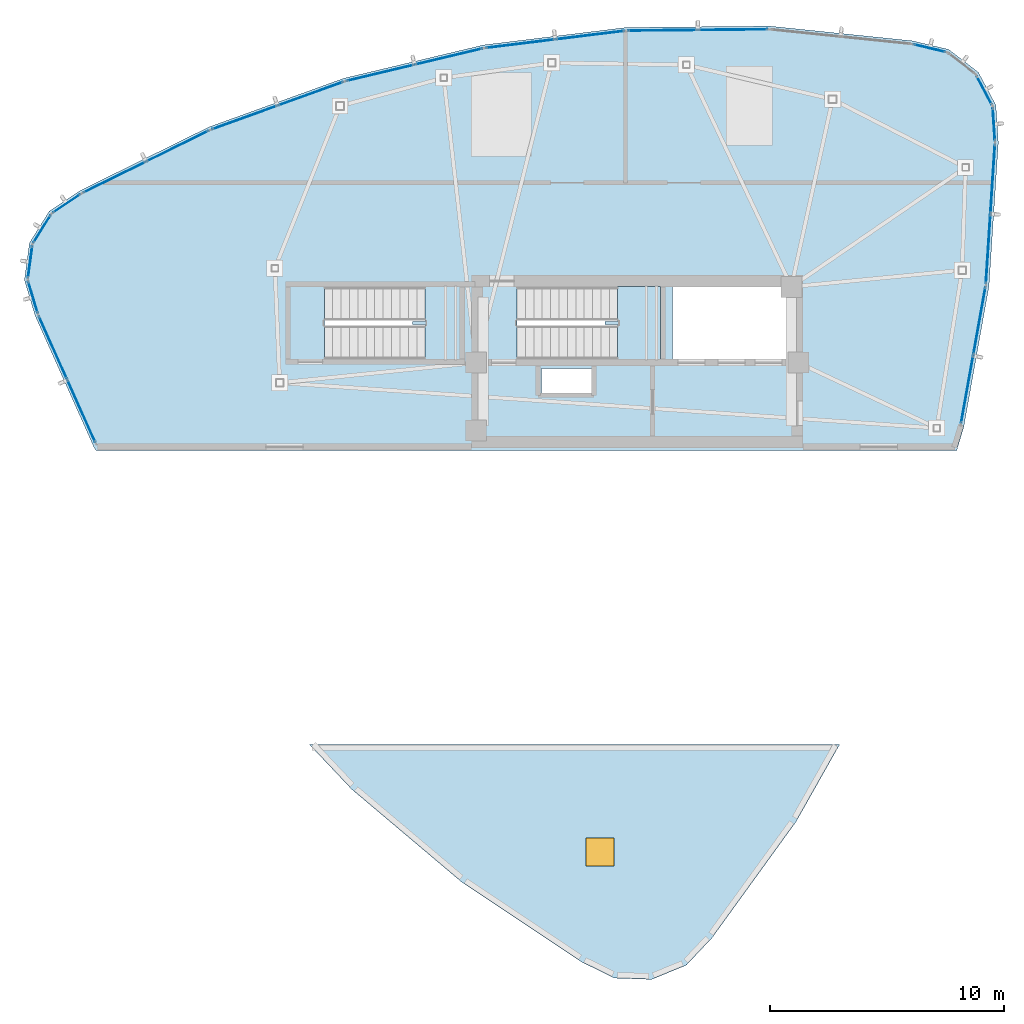
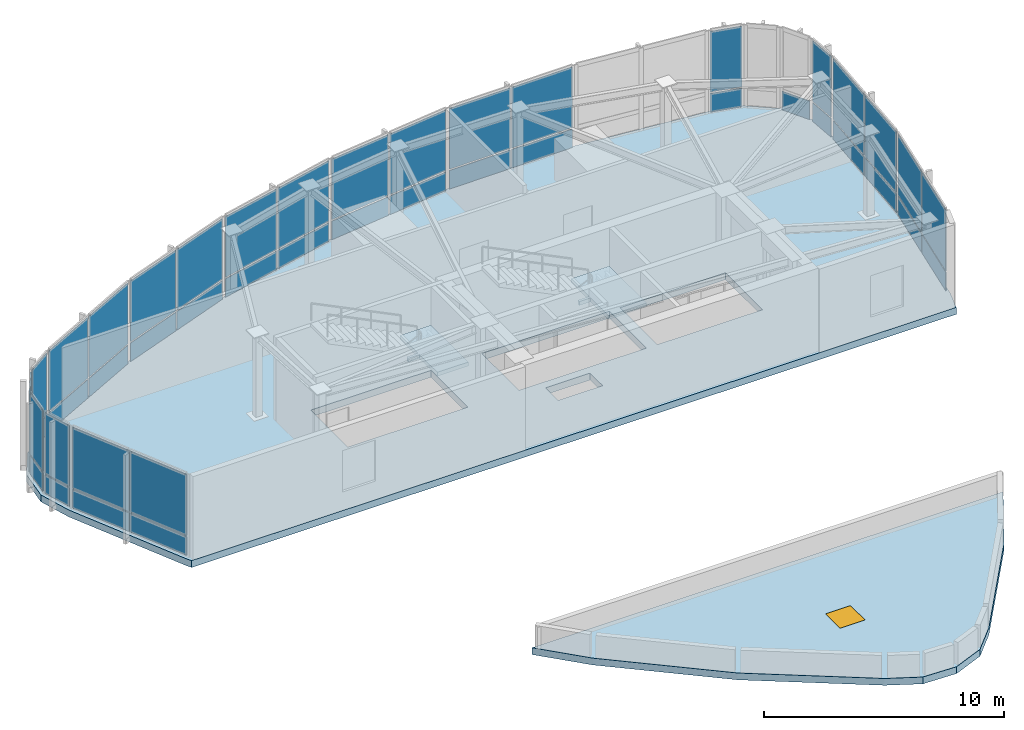
# One storey, part 6 of 11: 45 plates, 4 slabs, 1 window, 1 opening, 17 elements without a shape of their own.
"""IFC4 building model written with IfcOpenShell, lengths in metres."""

from ifc_helpers import new_model, si_unit, direction, frame, origin, origin_2d, place, context, subcontext, project, spatial, polyline, rectangle, outline, extrude, source, transform, mapped, material, layer, layer_set, type_object, type_shapes, element, fill, aggregate, save


model = new_model("IFC4")

# Units and contexts
model_context = context("Model", 3, precision=1e-05, world=origin(), true_north=direction((0.0, 1.0)))
body_context = subcontext(model_context, "Body", "Model", "MODEL_VIEW")
ifc_project = project(units=[si_unit("LENGTHUNIT", "METRE"), si_unit("AREAUNIT", "SQUARE_METRE"), si_unit("VOLUMEUNIT", "CUBIC_METRE"), si_unit("PLANEANGLEUNIT", "RADIAN"), si_unit("MASSUNIT", "GRAM", prefix="KILO")], contexts=[model_context])

# Site, building, storey
site_placement = place(None, origin())
site = spatial("IfcSite", under=ifc_project, at=site_placement, CompositionType="ELEMENT")
building_placement = place(site_placement, origin())
building = spatial("IfcBuilding", under=site, at=building_placement, Name="Tavelor Broadcast Tower", CompositionType="ELEMENT")
storey_placement = place(building_placement, frame((0.0, 0.0, 345.89990234375)))
storey = spatial("IfcBuildingStorey", under=building, at=storey_placement, Name="L82", CompositionType="ELEMENT", Elevation=345.89990234375)

# Slab, opening, window
ifc_material_1 = material(Name="Concrete C40/50", Category="concrete")
ifc_layer_1 = layer(ifc_material_1, 0.35009765625)
ifc_layer_set_1 = layer_set([ifc_layer_1], Name="Concrete C40/50")
slab_type_1 = type_object("IfcSlabType", Name="Crown Structural Roof Slab 350 mm", PredefinedType="ROOF", material=ifc_layer_set_1)
slab_1_placement = place(storey_placement, frame((0.0, 0.0, -0.349853515625)))
slab_1 = element("IfcSlab", 1, at=slab_1_placement, inside=storey, type_object=slab_type_1, Name="Roof Peak B Structural Roof Slab", PredefinedType="ROOF", context=body_context, shape_type="SweptSolid", body=[
    extrude(outline(polyline([(58.668701171875, 31.60009765625), (35.958251953125, 31.60009765625), (37.7763671875, 29.678466796875), (42.473876953125, 25.71533203125), (47.5859375, 22.3037109375), (49.021484375, 21.595703125), (50.620849609375, 21.541259765625), (52.10107421875, 22.14990234375), (53.19970703125, 23.313720703125), (56.802001953125, 28.29345703125), (58.668701171875, 31.60009765625)])), origin(), (0.0, 0.0, 1.0), 0.349853515625),
])
opening_placement = place(slab_1_placement, frame((48.40771484375, 27.00439453125, 0.0)))
opening = element("IfcOpeningElement", 2, at=opening_placement, cuts=slab_1, Name="Opening HT01", PredefinedType="OPENING", context=body_context, shape_type="SweptSolid", body=[
    extrude(rectangle(XDim=1.199951171875, YDim=1.199951171875, at=origin_2d()), frame((0.0, 0.0, -0.010009765625)), (0.0, 0.0, 1.0), 0.369873046875),
])
ifc_material_2 = material(Name="Copper-Bronze Anodized Aluminium", Category="aluminium")
window_type = type_object("IfcWindowType", Name="Insulated Roof Smoke and Maintenance Access Hatch 1200x1200", PartitioningType="SINGLE_PANEL", PredefinedType="LIGHTDOME", material=ifc_material_2)
window_placement = place(opening_placement, frame((0.0, 0.0, 0.2998046875)))
window = element("IfcWindow", 3, at=window_placement, inside=storey, type_object=window_type, Name="L82 Peak B Maintenance Roof Access Hatch", OverallHeight=1.199951171875, OverallWidth=1.199951171875, PartitioningType="SINGLE_PANEL", PredefinedType="LIGHTDOME", context=body_context, shape_type="SweptSolid", body=[
    extrude(rectangle(XDim=1.199951171875, YDim=1.199951171875, at=origin_2d()), origin(), (0.0, 0.0, 1.0), 0.050048828125),
])
fill(opening, window)

# Slab
ifc_layer_2 = layer(ifc_material_1, 0.35009765625)
ifc_layer_set_2 = layer_set([ifc_layer_2], Name="Concrete C40/50")
slab_type_2 = type_object("IfcSlabType", Name="Podium Structural Floor Slab 350 mm", PredefinedType="FLOOR", material=ifc_layer_set_2)
slab_2_placement = place(storey_placement, frame((0.0, 0.0, -0.349853515625)))
element("IfcSlab", 4, at=slab_2_placement, inside=storey, type_object=slab_type_2, Name="L82 Crown Peak A Floor Slab", PredefinedType="FLOOR", context=body_context, shape_type="SweptSolid", body=[
    extrude(outline(polyline([(26.81640625, 44.199951171875), (63.68505859375, 44.199951171875), (63.980712890625, 45.1923828125), (65.06396484375, 51.2421875), (65.462646484375, 57.375244140625), (65.35791015625, 58.972412109375), (64.60546875, 60.384765625), (63.338134765625, 61.3623046875), (61.781005859375, 61.73193359375), (55.66748046875, 62.361572265625), (49.521728515625, 62.302490234375), (43.42138671875, 61.55517578125), (37.443115234375, 60.129150390625), (31.662109375, 58.04248046875), (26.1513671875, 55.3212890625), (24.820556640625, 54.431884765625), (23.9736328125, 53.073974609375), (23.760498046875, 51.48779296875), (24.21923828125, 49.954345703125), (26.730712890625, 44.344970703125), (26.81640625, 44.199951171875)]), holes=[polyline([(48.050048828125, 47.699951171875), (48.050048828125, 46.64990234375), (45.89990234375, 46.64990234375), (45.89990234375, 47.699951171875), (48.050048828125, 47.699951171875)]), polyline([(42.39599609375, 51.196044921875), (42.39599609375, 48.10400390625), (36.60400390625, 48.10400390625), (36.60400390625, 51.196044921875), (42.39599609375, 51.196044921875)]), polyline([(50.99609375, 51.196044921875), (50.99609375, 48.10400390625), (44.85400390625, 48.10400390625), (44.85400390625, 51.196044921875), (50.99609375, 51.196044921875)]), polyline([(56.60009765625, 51.199951171875), (56.60009765625, 48.10009765625), (51.52001953125, 48.10009765625), (51.52001953125, 51.199951171875), (56.60009765625, 51.199951171875)])]), origin(), (0.0, 0.0, 1.0), 0.349853515625),
])

# Stair, slab
stair_type = type_object("IfcStairType", Name="Reinforced Concrete Protected Dogleg Stair 1450 mm", PredefinedType="HALF_TURN_STAIR", material=ifc_material_1)
stair_1_placement = place(storey_placement, origin())
stair_1 = element("IfcStair", 5, at=stair_1_placement, inside=storey, type_object=stair_type, Name="L82 Protected Core Exit Stair ST1", PredefinedType="HALF_TURN_STAIR")
ifc_layer_3 = layer(ifc_material_1, 0.199951171875)
ifc_layer_set_3 = layer_set([ifc_layer_3], Name="Concrete C40/50")
slab_type_3 = type_object("IfcSlabType", Name="Reinforced Concrete Stair Half-Landing Slab 200 mm", PredefinedType="LANDING", material=ifc_layer_set_3)
slab_3_placement = place(storey_placement, frame((0.0, 0.0, 2.10009765625)))
slab_3 = element("IfcSlab", 6, at=slab_3_placement, type_object=slab_type_3, Name="ST1 landing 1", PredefinedType="LANDING", context=body_context, shape_type="SweptSolid", body=[
    extrude(outline(polyline([(49.1650390625, 49.590087890625), (49.1650390625, 48.094970703125), (51.0048828125, 48.094970703125), (51.0048828125, 51.205078125), (49.1650390625, 51.205078125), (49.1650390625, 49.7099609375), (48.625, 49.7099609375), (48.625, 49.590087890625), (49.1650390625, 49.590087890625)])), origin(), (0.0, 0.0, 1.0), 0.199951171875),
])
aggregate(stair_1, [slab_3])

stair_2_placement = place(storey_placement, origin())
stair_2 = element("IfcStair", 7, at=stair_2_placement, inside=storey, type_object=stair_type, Name="L82 Crown Peak A Plant Stair ST5", PredefinedType="HALF_TURN_STAIR")
slab_4_placement = place(storey_placement, frame((0.0, 0.0, 2.10009765625)))
slab_4 = element("IfcSlab", 8, at=slab_4_placement, type_object=slab_type_3, Name="ST5 landing 1", PredefinedType="LANDING", context=body_context, shape_type="SweptSolid", body=[
    extrude(outline(polyline([(40.9150390625, 49.590087890625), (40.9150390625, 48.094970703125), (42.405029296875, 48.094970703125), (42.405029296875, 51.205078125), (40.9150390625, 51.205078125), (40.9150390625, 49.7099609375), (40.375, 49.7099609375), (40.375, 49.590087890625), (40.9150390625, 49.590087890625)])), origin(), (0.0, 0.0, 1.0), 0.199951171875),
])
aggregate(stair_2, [slab_4])

# Curtain wall, plates
ifc_material_3 = material(Name="Architectural Anodized Aluminium", Category="aluminium")
ifc_layer_4 = layer(ifc_material_3, 0.2099609375)
ifc_layer_set_4 = layer_set([ifc_layer_4], Name="Architectural Anodized Aluminium")
curtain_wall_type = type_object("IfcCurtainWallType", Name="Split-Crown Beacon Curtain Wall CW06", PredefinedType="NOTDEFINED", material=ifc_layer_set_4)
curtain_wall_1_placement = place(storey_placement, origin())
curtain_wall_1 = element("IfcCurtainWall", 9, at=curtain_wall_1_placement, inside=storey, type_object=curtain_wall_type, Name="L82 Curtain Wall CW06 Run 955", PredefinedType="NOTDEFINED")
ifc_material_4 = material(Name="Dichroic Solar Laminated Glazing 34 mm", Category="glass")
ifc_layer_5 = layer(ifc_material_4, 0.033935546875)
ifc_layer_set_5 = layer_set([ifc_layer_5], Name="Dichroic Solar Laminated Glazing 34 mm")
plate_type = type_object("IfcPlateType", Name="CW06 Insulated Vision Glazing Panel 34 mm", PredefinedType="CURTAIN_PANEL", material=ifc_layer_set_5)
shared_shape_1 = source(origin(), body_context, "Body", "SweptSolid", [
    extrude(rectangle(XDim=2.90966796875, YDim=0.033935546875, at=origin_2d()), origin(), (0.0, 0.0, 1.0), 0.94189453125),
])
plate_1_placement = place(storey_placement, frame((64.12744140625, 46.806640625, 0.072265625), z_axis=(0.0, 0.0, 1.0), x_axis=(0.176266032777, 0.984342565212, 0.0)))
plate_1 = element("IfcPlate", 10, at=plate_1_placement, type_object=plate_type, Name="CW06 panel 1.1", PredefinedType="CURTAIN_PANEL", context=body_context, shape_type="MappedRepresentation", body=[
    mapped(shared_shape_1, transform((0.0, 0.0, 0.0), scale=1.0)),
])
plate_2_placement = place(storey_placement, frame((64.653076171875, 49.741455078125, 0.072265625), z_axis=(0.0, 0.0, 1.0), x_axis=(0.176266032777, 0.984342565212, 0.0)))
plate_2 = element("IfcPlate", 11, at=plate_2_placement, type_object=plate_type, Name="CW06 panel 2.1", PredefinedType="CURTAIN_PANEL", context=body_context, shape_type="MappedRepresentation", body=[
    mapped(shared_shape_1, transform((0.0, 0.0, 0.0), scale=1.0)),
])
shared_shape_2 = source(origin(), body_context, "Body", "SweptSolid", [
    extrude(rectangle(XDim=2.90966796875, YDim=0.033935546875, at=origin_2d()), origin(), (0.0, 0.0, 1.0), 3.092041015625),
])
plate_3_placement = place(storey_placement, frame((64.12744140625, 46.806640625, 1.0859375), z_axis=(0.0, 0.0, 1.0), x_axis=(0.176266032777, 0.984342565212, 0.0)))
plate_3 = element("IfcPlate", 12, at=plate_3_placement, type_object=plate_type, Name="CW06 panel 1.2", PredefinedType="CURTAIN_PANEL", context=body_context, shape_type="MappedRepresentation", body=[
    mapped(shared_shape_2, transform((0.0, 0.0, 0.0), scale=1.0)),
])
plate_4_placement = place(storey_placement, frame((64.653076171875, 49.741455078125, 1.0859375), z_axis=(0.0, 0.0, 1.0), x_axis=(0.176266032777, 0.984342565212, 0.0)))
plate_4 = element("IfcPlate", 13, at=plate_4_placement, type_object=plate_type, Name="CW06 panel 2.2", PredefinedType="CURTAIN_PANEL", context=body_context, shape_type="MappedRepresentation", body=[
    mapped(shared_shape_2, transform((0.0, 0.0, 0.0), scale=1.0)),
])
aggregate(curtain_wall_1, [plate_1, plate_3, plate_2, plate_4])

curtain_wall_2_placement = place(storey_placement, origin())
curtain_wall_2 = element("IfcCurtainWall", 14, at=curtain_wall_2_placement, inside=storey, type_object=curtain_wall_type, Name="L82 Curtain Wall CW06 Run 956", PredefinedType="NOTDEFINED")
shared_shape_3 = source(origin(), body_context, "Body", "SweptSolid", [
    extrude(rectangle(XDim=2.94140625, YDim=0.033935546875, at=origin_2d()), origin(), (0.0, 0.0, 1.0), 0.94189453125),
])
plate_5_placement = place(storey_placement, frame((65.02587890625, 52.813720703125, 0.072265625), z_axis=(0.0, 0.0, 1.0), x_axis=(0.064862631275, 0.99789420234, 0.0)))
plate_5 = element("IfcPlate", 15, at=plate_5_placement, type_object=plate_type, Name="CW06 panel 1.1", PredefinedType="CURTAIN_PANEL", context=body_context, shape_type="MappedRepresentation", body=[
    mapped(shared_shape_3, transform((0.0, 0.0, 0.0), scale=1.0)),
])
plate_6_placement = place(storey_placement, frame((65.221435546875, 55.82080078125, 0.072265625), z_axis=(0.0, 0.0, 1.0), x_axis=(0.064862631275, 0.99789420234, 0.0)))
plate_6 = element("IfcPlate", 16, at=plate_6_placement, type_object=plate_type, Name="CW06 panel 2.1", PredefinedType="CURTAIN_PANEL", context=body_context, shape_type="MappedRepresentation", body=[
    mapped(shared_shape_3, transform((0.0, 0.0, 0.0), scale=1.0)),
])

curtain_wall_3_placement = place(storey_placement, origin())
curtain_wall_3 = element("IfcCurtainWall", 17, at=curtain_wall_3_placement, inside=storey, type_object=curtain_wall_type, Name="L82 Curtain Wall CW06 Run 966", PredefinedType="NOTDEFINED")
plate_7_placement = place(storey_placement, frame((30.3203125, 57.2236328125, 0.072265625), z_axis=(0.0, 0.0, 1.0), x_axis=(-0.896649177873, -0.442741743932, 0.0)))
plate_7 = element("IfcPlate", 18, at=plate_7_placement, type_object=plate_type, Name="CW06 panel 1.1", PredefinedType="CURTAIN_PANEL", context=body_context, shape_type="MappedRepresentation", body=[
    mapped(shared_shape_3, transform((0.0, 0.0, 0.0), scale=1.0)),
])
plate_8_placement = place(storey_placement, frame((27.6181640625, 55.889404296875, 0.072265625), z_axis=(0.0, 0.0, 1.0), x_axis=(-0.896649177873, -0.442741743932, 0.0)))
plate_8 = element("IfcPlate", 19, at=plate_8_placement, type_object=plate_type, Name="CW06 panel 2.1", PredefinedType="CURTAIN_PANEL", context=body_context, shape_type="MappedRepresentation", body=[
    mapped(shared_shape_3, transform((0.0, 0.0, 0.0), scale=1.0)),
])

# Plate
shared_shape_4 = source(origin(), body_context, "Body", "SweptSolid", [
    extrude(rectangle(XDim=2.94140625, YDim=0.033935546875, at=origin_2d()), origin(), (0.0, 0.0, 1.0), 3.092041015625),
])
plate_9_placement = place(storey_placement, frame((65.02587890625, 52.813720703125, 1.0859375), z_axis=(0.0, 0.0, 1.0), x_axis=(0.064862631275, 0.99789420234, 0.0)))
plate_9 = element("IfcPlate", 20, at=plate_9_placement, type_object=plate_type, Name="CW06 panel 1.2", PredefinedType="CURTAIN_PANEL", context=body_context, shape_type="MappedRepresentation", body=[
    mapped(shared_shape_4, transform((0.0, 0.0, 0.0), scale=1.0)),
])

plate_10_placement = place(storey_placement, frame((65.221435546875, 55.82080078125, 1.0859375), z_axis=(0.0, 0.0, 1.0), x_axis=(0.064862631275, 0.99789420234, 0.0)))
plate_10 = element("IfcPlate", 21, at=plate_10_placement, type_object=plate_type, Name="CW06 panel 2.2", PredefinedType="CURTAIN_PANEL", context=body_context, shape_type="MappedRepresentation", body=[
    mapped(shared_shape_4, transform((0.0, 0.0, 0.0), scale=1.0)),
])

aggregate(curtain_wall_2, [plate_5, plate_9, plate_6, plate_10])

plate_11_placement = place(storey_placement, frame((30.3203125, 57.2236328125, 1.0859375), z_axis=(0.0, 0.0, 1.0), x_axis=(-0.896649177873, -0.442741743932, 0.0)))
plate_11 = element("IfcPlate", 22, at=plate_11_placement, type_object=plate_type, Name="CW06 panel 1.2", PredefinedType="CURTAIN_PANEL", context=body_context, shape_type="MappedRepresentation", body=[
    mapped(shared_shape_4, transform((0.0, 0.0, 0.0), scale=1.0)),
])

plate_12_placement = place(storey_placement, frame((27.6181640625, 55.889404296875, 1.0859375), z_axis=(0.0, 0.0, 1.0), x_axis=(-0.896649177873, -0.442741743932, 0.0)))
plate_12 = element("IfcPlate", 23, at=plate_12_placement, type_object=plate_type, Name="CW06 panel 2.2", PredefinedType="CURTAIN_PANEL", context=body_context, shape_type="MappedRepresentation", body=[
    mapped(shared_shape_4, transform((0.0, 0.0, 0.0), scale=1.0)),
])

aggregate(curtain_wall_3, [plate_7, plate_11, plate_8, plate_12])

# Curtain wall, plate
curtain_wall_4_placement = place(storey_placement, origin())
curtain_wall_4 = element("IfcCurtainWall", 24, at=curtain_wall_4_placement, inside=storey, type_object=curtain_wall_type, Name="L82 Curtain Wall CW06 Run 957", PredefinedType="NOTDEFINED")
shared_shape_5 = source(origin(), body_context, "Body", "SweptSolid", [
    extrude(rectangle(XDim=1.38720703125, YDim=0.033935546875, at=origin_2d()), origin(), (0.0, 0.0, 1.0), 0.94189453125),
])
plate_13_placement = place(storey_placement, frame((65.271240234375, 58.154052734375, 0.072265625), z_axis=(0.0, 0.0, 1.0), x_axis=(-0.065374609131, 0.997860792135, 0.0)))
plate_13 = element("IfcPlate", 25, at=plate_13_placement, type_object=plate_type, Name="CW06 panel 1.1", PredefinedType="CURTAIN_PANEL", context=body_context, shape_type="MappedRepresentation", body=[
    mapped(shared_shape_5, transform((0.0, 0.0, 0.0), scale=1.0)),
])

curtain_wall_5_placement = place(storey_placement, origin())
curtain_wall_5 = element("IfcCurtainWall", 26, at=curtain_wall_5_placement, inside=storey, type_object=curtain_wall_type, Name="L82 Curtain Wall CW06 Run 960", PredefinedType="NOTDEFINED")
plate_14_placement = place(storey_placement, frame((62.51708984375, 61.413330078125, 0.072265625), z_axis=(0.0, 0.0, 1.0), x_axis=(-0.972984616019, 0.230869956882, 0.0)))
plate_14 = element("IfcPlate", 27, at=plate_14_placement, type_object=plate_type, Name="CW06 panel 1.1", PredefinedType="CURTAIN_PANEL", context=body_context, shape_type="MappedRepresentation", body=[
    mapped(shared_shape_5, transform((0.0, 0.0, 0.0), scale=1.0)),
])

curtain_wall_6_placement = place(storey_placement, origin())
curtain_wall_6 = element("IfcCurtainWall", 28, at=curtain_wall_6_placement, inside=storey, type_object=curtain_wall_type, Name="L82 Curtain Wall CW06 Run 967", PredefinedType="NOTDEFINED")
plate_15_placement = place(storey_placement, frame((25.572509765625, 54.76611328125, 0.072265625), z_axis=(0.0, 0.0, 1.0), x_axis=(-0.831457008617, -0.555589095305, 0.0)))
plate_15 = element("IfcPlate", 29, at=plate_15_placement, type_object=plate_type, Name="CW06 panel 1.1", PredefinedType="CURTAIN_PANEL", context=body_context, shape_type="MappedRepresentation", body=[
    mapped(shared_shape_5, transform((0.0, 0.0, 0.0), scale=1.0)),
])

curtain_wall_7_placement = place(storey_placement, origin())
curtain_wall_7 = element("IfcCurtainWall", 30, at=curtain_wall_7_placement, inside=storey, type_object=curtain_wall_type, Name="L82 Curtain Wall CW06 Run 970", PredefinedType="NOTDEFINED")
plate_16_placement = place(storey_placement, frame((24.126953125, 50.751220703125, 0.072265625), z_axis=(0.0, 0.0, 1.0), x_axis=(0.286491022965, -0.958082926348, 0.0)))
plate_16 = element("IfcPlate", 31, at=plate_16_placement, type_object=plate_type, Name="CW06 panel 1.1", PredefinedType="CURTAIN_PANEL", context=body_context, shape_type="MappedRepresentation", body=[
    mapped(shared_shape_5, transform((0.0, 0.0, 0.0), scale=1.0)),
])

# Plate
shared_shape_6 = source(origin(), body_context, "Body", "SweptSolid", [
    extrude(rectangle(XDim=1.38720703125, YDim=0.033935546875, at=origin_2d()), origin(), (0.0, 0.0, 1.0), 3.092041015625),
])
plate_17_placement = place(storey_placement, frame((65.271240234375, 58.154052734375, 1.0859375), z_axis=(0.0, 0.0, 1.0), x_axis=(-0.065374609131, 0.997860792135, 0.0)))
plate_17 = element("IfcPlate", 32, at=plate_17_placement, type_object=plate_type, Name="CW06 panel 1.2", PredefinedType="CURTAIN_PANEL", context=body_context, shape_type="MappedRepresentation", body=[
    mapped(shared_shape_6, transform((0.0, 0.0, 0.0), scale=1.0)),
])

aggregate(curtain_wall_4, [plate_13, plate_17])

plate_18_placement = place(storey_placement, frame((62.51708984375, 61.413330078125, 1.0859375), z_axis=(0.0, 0.0, 1.0), x_axis=(-0.972984616019, 0.230869956882, 0.0)))
plate_18 = element("IfcPlate", 33, at=plate_18_placement, type_object=plate_type, Name="CW06 panel 1.2", PredefinedType="CURTAIN_PANEL", context=body_context, shape_type="MappedRepresentation", body=[
    mapped(shared_shape_6, transform((0.0, 0.0, 0.0), scale=1.0)),
])

aggregate(curtain_wall_5, [plate_14, plate_18])

plate_19_placement = place(storey_placement, frame((25.572509765625, 54.76611328125, 1.0859375), z_axis=(0.0, 0.0, 1.0), x_axis=(-0.831457008617, -0.555589095305, 0.0)))
plate_19 = element("IfcPlate", 34, at=plate_19_placement, type_object=plate_type, Name="CW06 panel 1.2", PredefinedType="CURTAIN_PANEL", context=body_context, shape_type="MappedRepresentation", body=[
    mapped(shared_shape_6, transform((0.0, 0.0, 0.0), scale=1.0)),
])

aggregate(curtain_wall_6, [plate_15, plate_19])

plate_20_placement = place(storey_placement, frame((24.126953125, 50.751220703125, 1.0859375), z_axis=(0.0, 0.0, 1.0), x_axis=(0.286491022965, -0.958082926348, 0.0)))
plate_20 = element("IfcPlate", 35, at=plate_20_placement, type_object=plate_type, Name="CW06 panel 1.2", PredefinedType="CURTAIN_PANEL", context=body_context, shape_type="MappedRepresentation", body=[
    mapped(shared_shape_6, transform((0.0, 0.0, 0.0), scale=1.0)),
])

aggregate(curtain_wall_7, [plate_16, plate_20])

# Curtain wall, plate
curtain_wall_8_placement = place(storey_placement, origin())
curtain_wall_8 = element("IfcCurtainWall", 36, at=curtain_wall_8_placement, inside=storey, type_object=curtain_wall_type, Name="L82 Curtain Wall CW06 Run 958", PredefinedType="NOTDEFINED")
shared_shape_7 = source(origin(), body_context, "Body", "SweptSolid", [
    extrude(rectangle(XDim=1.3662109375, YDim=0.033935546875, at=origin_2d()), origin(), (0.0, 0.0, 1.0), 0.94189453125),
])
plate_21_placement = place(storey_placement, frame((64.858154296875, 59.61279296875, 0.072265625), z_axis=(0.0, 0.0, 1.0), x_axis=(-0.470213568918, 0.882552661095, 0.0)))
plate_21 = element("IfcPlate", 37, at=plate_21_placement, type_object=plate_type, Name="CW06 panel 1.1", PredefinedType="CURTAIN_PANEL", context=body_context, shape_type="MappedRepresentation", body=[
    mapped(shared_shape_7, transform((0.0, 0.0, 0.0), scale=1.0)),
])
aggregate(curtain_wall_8, [plate_21])

curtain_wall_9_placement = place(storey_placement, origin())
curtain_wall_9 = element("IfcCurtainWall", 38, at=curtain_wall_9_placement, inside=storey, type_object=curtain_wall_type, Name="L82 Curtain Wall CW06 Run 968", PredefinedType="NOTDEFINED")
plate_22_placement = place(storey_placement, frame((24.515869140625, 53.678955078125, 0.072265625), z_axis=(0.0, 0.0, 1.0), x_axis=(-0.529153458548, -0.848526144151, 0.0)))
plate_22 = element("IfcPlate", 39, at=plate_22_placement, type_object=plate_type, Name="CW06 panel 1.1", PredefinedType="CURTAIN_PANEL", context=body_context, shape_type="MappedRepresentation", body=[
    mapped(shared_shape_7, transform((0.0, 0.0, 0.0), scale=1.0)),
])

curtain_wall_10_placement = place(storey_placement, origin())
curtain_wall_10 = element("IfcCurtainWall", 40, at=curtain_wall_10_placement, inside=storey, type_object=curtain_wall_type, Name="L82 Curtain Wall CW06 Run 969", PredefinedType="NOTDEFINED")
plate_23_placement = place(storey_placement, frame((24.005859375, 52.26220703125, 0.072265625), z_axis=(0.0, 0.0, 1.0), x_axis=(-0.133100561302, -0.991102537874, 0.0)))
plate_23 = element("IfcPlate", 41, at=plate_23_placement, type_object=plate_type, Name="CW06 panel 1.1", PredefinedType="CURTAIN_PANEL", context=body_context, shape_type="MappedRepresentation", body=[
    mapped(shared_shape_7, transform((0.0, 0.0, 0.0), scale=1.0)),
])

# Plate
shared_shape_8 = source(origin(), body_context, "Body", "SweptSolid", [
    extrude(rectangle(XDim=1.3662109375, YDim=0.033935546875, at=origin_2d()), origin(), (0.0, 0.0, 1.0), 3.092041015625),
])
plate_24_placement = place(storey_placement, frame((24.515869140625, 53.678955078125, 1.0859375), z_axis=(0.0, 0.0, 1.0), x_axis=(-0.529153458548, -0.848526144151, 0.0)))
plate_24 = element("IfcPlate", 42, at=plate_24_placement, type_object=plate_type, Name="CW06 panel 1.2", PredefinedType="CURTAIN_PANEL", context=body_context, shape_type="MappedRepresentation", body=[
    mapped(shared_shape_8, transform((0.0, 0.0, 0.0), scale=1.0)),
])

aggregate(curtain_wall_9, [plate_22, plate_24])

plate_25_placement = place(storey_placement, frame((24.005859375, 52.26220703125, 1.0859375), z_axis=(0.0, 0.0, 1.0), x_axis=(-0.133100561302, -0.991102537874, 0.0)))
plate_25 = element("IfcPlate", 43, at=plate_25_placement, type_object=plate_type, Name="CW06 panel 1.2", PredefinedType="CURTAIN_PANEL", context=body_context, shape_type="MappedRepresentation", body=[
    mapped(shared_shape_8, transform((0.0, 0.0, 0.0), scale=1.0)),
])

aggregate(curtain_wall_10, [plate_23, plate_25])

# Curtain wall, plates
curtain_wall_11_placement = place(storey_placement, origin())
curtain_wall_11 = element("IfcCurtainWall", 44, at=curtain_wall_11_placement, inside=storey, type_object=curtain_wall_type, Name="L82 Curtain Wall CW06 Run 962", PredefinedType="NOTDEFINED")
shared_shape_9 = source(origin(), body_context, "Body", "SweptSolid", [
    extrude(rectangle(XDim=2.942138671875, YDim=0.033935546875, at=origin_2d()), origin(), (0.0, 0.0, 1.0), 0.94189453125),
])
plate_26_placement = place(storey_placement, frame((54.102783203125, 62.20654296875, 0.072265625), z_axis=(0.0, 0.0, 1.0), x_axis=(-0.999953544758, -0.009638896471, 0.0)))
plate_26 = element("IfcPlate", 45, at=plate_26_placement, type_object=plate_type, Name="CW06 panel 1.1", PredefinedType="CURTAIN_PANEL", context=body_context, shape_type="MappedRepresentation", body=[
    mapped(shared_shape_9, transform((0.0, 0.0, 0.0), scale=1.0)),
])
plate_27_placement = place(storey_placement, frame((51.0888671875, 62.177490234375, 0.072265625), z_axis=(0.0, 0.0, 1.0), x_axis=(-0.999953544758, -0.009638896471, 0.0)))
plate_27 = element("IfcPlate", 46, at=plate_27_placement, type_object=plate_type, Name="CW06 panel 2.1", PredefinedType="CURTAIN_PANEL", context=body_context, shape_type="MappedRepresentation", body=[
    mapped(shared_shape_9, transform((0.0, 0.0, 0.0), scale=1.0)),
])

curtain_wall_12_placement = place(storey_placement, origin())
curtain_wall_12 = element("IfcCurtainWall", 47, at=curtain_wall_12_placement, inside=storey, type_object=curtain_wall_type, Name="L82 Curtain Wall CW06 Run 963", PredefinedType="NOTDEFINED")
plate_28_placement = place(storey_placement, frame((47.984375, 61.97314453125, 0.072265625), z_axis=(0.0, 0.0, 1.0), x_axis=(-0.992579041437, -0.121601178033, 0.0)))
plate_28 = element("IfcPlate", 48, at=plate_28_placement, type_object=plate_type, Name="CW06 panel 1.1", PredefinedType="CURTAIN_PANEL", context=body_context, shape_type="MappedRepresentation", body=[
    mapped(shared_shape_9, transform((0.0, 0.0, 0.0), scale=1.0)),
])
plate_29_placement = place(storey_placement, frame((44.99267578125, 61.6064453125, 0.072265625), z_axis=(0.0, 0.0, 1.0), x_axis=(-0.992579041437, -0.121601178033, 0.0)))
plate_29 = element("IfcPlate", 49, at=plate_29_placement, type_object=plate_type, Name="CW06 panel 2.1", PredefinedType="CURTAIN_PANEL", context=body_context, shape_type="MappedRepresentation", body=[
    mapped(shared_shape_9, transform((0.0, 0.0, 0.0), scale=1.0)),
])

curtain_wall_13_placement = place(storey_placement, origin())
curtain_wall_13 = element("IfcCurtainWall", 50, at=curtain_wall_13_placement, inside=storey, type_object=curtain_wall_type, Name="L82 Curtain Wall CW06 Run 964", PredefinedType="NOTDEFINED")
plate_30_placement = place(storey_placement, frame((41.930419921875, 61.0556640625, 0.072265625), z_axis=(0.0, 0.0, 1.0), x_axis=(-0.972710448924, -0.232022375115, 0.0)))
plate_30 = element("IfcPlate", 51, at=plate_30_placement, type_object=plate_type, Name="CW06 panel 1.1", PredefinedType="CURTAIN_PANEL", context=body_context, shape_type="MappedRepresentation", body=[
    mapped(shared_shape_9, transform((0.0, 0.0, 0.0), scale=1.0)),
])
plate_31_placement = place(storey_placement, frame((38.998779296875, 60.356201171875, 0.072265625), z_axis=(0.0, 0.0, 1.0), x_axis=(-0.972710448924, -0.232022375115, 0.0)))
plate_31 = element("IfcPlate", 52, at=plate_31_placement, type_object=plate_type, Name="CW06 panel 2.1", PredefinedType="CURTAIN_PANEL", context=body_context, shape_type="MappedRepresentation", body=[
    mapped(shared_shape_9, transform((0.0, 0.0, 0.0), scale=1.0)),
])

curtain_wall_14_placement = place(storey_placement, origin())
curtain_wall_14 = element("IfcCurtainWall", 53, at=curtain_wall_14_placement, inside=storey, type_object=curtain_wall_type, Name="L82 Curtain Wall CW06 Run 965", PredefinedType="NOTDEFINED")
plate_32_placement = place(storey_placement, frame((36.017578125, 59.4658203125, 0.072265625), z_axis=(0.0, 0.0, 1.0), x_axis=(-0.940596804138, -0.339525627966, 0.0)))
plate_32 = element("IfcPlate", 54, at=plate_32_placement, type_object=plate_type, Name="CW06 panel 1.1", PredefinedType="CURTAIN_PANEL", context=body_context, shape_type="MappedRepresentation", body=[
    mapped(shared_shape_9, transform((0.0, 0.0, 0.0), scale=1.0)),
])
plate_33_placement = place(storey_placement, frame((33.1826171875, 58.4423828125, 0.072265625), z_axis=(0.0, 0.0, 1.0), x_axis=(-0.940596804138, -0.339525627966, 0.0)))
plate_33 = element("IfcPlate", 55, at=plate_33_placement, type_object=plate_type, Name="CW06 panel 2.1", PredefinedType="CURTAIN_PANEL", context=body_context, shape_type="MappedRepresentation", body=[
    mapped(shared_shape_9, transform((0.0, 0.0, 0.0), scale=1.0)),
])

# Plate
shared_shape_10 = source(origin(), body_context, "Body", "SweptSolid", [
    extrude(rectangle(XDim=2.942138671875, YDim=0.033935546875, at=origin_2d()), origin(), (0.0, 0.0, 1.0), 3.092041015625),
])
plate_34_placement = place(storey_placement, frame((54.102783203125, 62.20654296875, 1.0859375), z_axis=(0.0, 0.0, 1.0), x_axis=(-0.999953544758, -0.009638896471, 0.0)))
plate_34 = element("IfcPlate", 56, at=plate_34_placement, type_object=plate_type, Name="CW06 panel 1.2", PredefinedType="CURTAIN_PANEL", context=body_context, shape_type="MappedRepresentation", body=[
    mapped(shared_shape_10, transform((0.0, 0.0, 0.0), scale=1.0)),
])

plate_35_placement = place(storey_placement, frame((51.0888671875, 62.177490234375, 1.0859375), z_axis=(0.0, 0.0, 1.0), x_axis=(-0.999953544758, -0.009638896471, 0.0)))
plate_35 = element("IfcPlate", 57, at=plate_35_placement, type_object=plate_type, Name="CW06 panel 2.2", PredefinedType="CURTAIN_PANEL", context=body_context, shape_type="MappedRepresentation", body=[
    mapped(shared_shape_10, transform((0.0, 0.0, 0.0), scale=1.0)),
])

aggregate(curtain_wall_11, [plate_26, plate_34, plate_27, plate_35])

plate_36_placement = place(storey_placement, frame((47.984375, 61.97314453125, 1.0859375), z_axis=(0.0, 0.0, 1.0), x_axis=(-0.992579041437, -0.121601178033, 0.0)))
plate_36 = element("IfcPlate", 58, at=plate_36_placement, type_object=plate_type, Name="CW06 panel 1.2", PredefinedType="CURTAIN_PANEL", context=body_context, shape_type="MappedRepresentation", body=[
    mapped(shared_shape_10, transform((0.0, 0.0, 0.0), scale=1.0)),
])

plate_37_placement = place(storey_placement, frame((44.99267578125, 61.6064453125, 1.0859375), z_axis=(0.0, 0.0, 1.0), x_axis=(-0.992579041437, -0.121601178033, 0.0)))
plate_37 = element("IfcPlate", 59, at=plate_37_placement, type_object=plate_type, Name="CW06 panel 2.2", PredefinedType="CURTAIN_PANEL", context=body_context, shape_type="MappedRepresentation", body=[
    mapped(shared_shape_10, transform((0.0, 0.0, 0.0), scale=1.0)),
])

aggregate(curtain_wall_12, [plate_28, plate_36, plate_29, plate_37])

plate_38_placement = place(storey_placement, frame((41.930419921875, 61.0556640625, 1.0859375), z_axis=(0.0, 0.0, 1.0), x_axis=(-0.972710448924, -0.232022375115, 0.0)))
plate_38 = element("IfcPlate", 60, at=plate_38_placement, type_object=plate_type, Name="CW06 panel 1.2", PredefinedType="CURTAIN_PANEL", context=body_context, shape_type="MappedRepresentation", body=[
    mapped(shared_shape_10, transform((0.0, 0.0, 0.0), scale=1.0)),
])

plate_39_placement = place(storey_placement, frame((38.998779296875, 60.356201171875, 1.0859375), z_axis=(0.0, 0.0, 1.0), x_axis=(-0.972710448924, -0.232022375115, 0.0)))
plate_39 = element("IfcPlate", 61, at=plate_39_placement, type_object=plate_type, Name="CW06 panel 2.2", PredefinedType="CURTAIN_PANEL", context=body_context, shape_type="MappedRepresentation", body=[
    mapped(shared_shape_10, transform((0.0, 0.0, 0.0), scale=1.0)),
])

aggregate(curtain_wall_13, [plate_30, plate_38, plate_31, plate_39])

plate_40_placement = place(storey_placement, frame((36.017578125, 59.4658203125, 1.0859375), z_axis=(0.0, 0.0, 1.0), x_axis=(-0.940596804138, -0.339525627966, 0.0)))
plate_40 = element("IfcPlate", 62, at=plate_40_placement, type_object=plate_type, Name="CW06 panel 1.2", PredefinedType="CURTAIN_PANEL", context=body_context, shape_type="MappedRepresentation", body=[
    mapped(shared_shape_10, transform((0.0, 0.0, 0.0), scale=1.0)),
])

plate_41_placement = place(storey_placement, frame((33.1826171875, 58.4423828125, 1.0859375), z_axis=(0.0, 0.0, 1.0), x_axis=(-0.940596804138, -0.339525627966, 0.0)))
plate_41 = element("IfcPlate", 63, at=plate_41_placement, type_object=plate_type, Name="CW06 panel 2.2", PredefinedType="CURTAIN_PANEL", context=body_context, shape_type="MappedRepresentation", body=[
    mapped(shared_shape_10, transform((0.0, 0.0, 0.0), scale=1.0)),
])

aggregate(curtain_wall_14, [plate_32, plate_40, plate_33, plate_41])

# Curtain wall, plates
curtain_wall_15_placement = place(storey_placement, origin())
curtain_wall_15 = element("IfcCurtainWall", 64, at=curtain_wall_15_placement, inside=storey, type_object=curtain_wall_type, Name="L82 Curtain Wall CW06 Run 971", PredefinedType="NOTDEFINED")
shared_shape_11 = source(origin(), body_context, "Body", "SweptSolid", [
    extrude(rectangle(XDim=2.908935546875, YDim=0.033935546875, at=origin_2d()), origin(), (0.0, 0.0, 1.0), 0.94189453125),
])
plate_42_placement = place(storey_placement, frame((24.980712890625, 48.596435546875, 0.072265625), z_axis=(0.0, 0.0, 1.0), x_axis=(0.408649487947, -0.912691402392, 0.0)))
plate_42 = element("IfcPlate", 65, at=plate_42_placement, type_object=plate_type, Name="CW06 panel 1.1", PredefinedType="CURTAIN_PANEL", context=body_context, shape_type="MappedRepresentation", body=[
    mapped(shared_shape_11, transform((0.0, 0.0, 0.0), scale=1.0)),
])
plate_43_placement = place(storey_placement, frame((26.19873046875, 45.875732421875, 0.072265625), z_axis=(0.0, 0.0, 1.0), x_axis=(0.408649487947, -0.912691402392, 0.0)))
plate_43 = element("IfcPlate", 66, at=plate_43_placement, type_object=plate_type, Name="CW06 panel 2.1", PredefinedType="CURTAIN_PANEL", context=body_context, shape_type="MappedRepresentation", body=[
    mapped(shared_shape_11, transform((0.0, 0.0, 0.0), scale=1.0)),
])
shared_shape_12 = source(origin(), body_context, "Body", "SweptSolid", [
    extrude(rectangle(XDim=2.908935546875, YDim=0.033935546875, at=origin_2d()), origin(), (0.0, 0.0, 1.0), 3.092041015625),
])
type_shapes(plate_type, [shared_shape_1, shared_shape_2, shared_shape_3, shared_shape_4, shared_shape_5, shared_shape_6, shared_shape_7, shared_shape_8, shared_shape_9, shared_shape_10, shared_shape_11, shared_shape_12])
plate_44_placement = place(storey_placement, frame((24.980712890625, 48.596435546875, 1.0859375), z_axis=(0.0, 0.0, 1.0), x_axis=(0.408649487947, -0.912691402392, 0.0)))
plate_44 = element("IfcPlate", 67, at=plate_44_placement, type_object=plate_type, Name="CW06 panel 1.2", PredefinedType="CURTAIN_PANEL", context=body_context, shape_type="MappedRepresentation", body=[
    mapped(shared_shape_12, transform((0.0, 0.0, 0.0), scale=1.0)),
])
plate_45_placement = place(storey_placement, frame((26.19873046875, 45.875732421875, 1.0859375), z_axis=(0.0, 0.0, 1.0), x_axis=(0.408649487947, -0.912691402392, 0.0)))
plate_45 = element("IfcPlate", 68, at=plate_45_placement, type_object=plate_type, Name="CW06 panel 2.2", PredefinedType="CURTAIN_PANEL", context=body_context, shape_type="MappedRepresentation", body=[
    mapped(shared_shape_12, transform((0.0, 0.0, 0.0), scale=1.0)),
])
aggregate(curtain_wall_15, [plate_42, plate_44, plate_43, plate_45])

save(model, "model.ifc")
